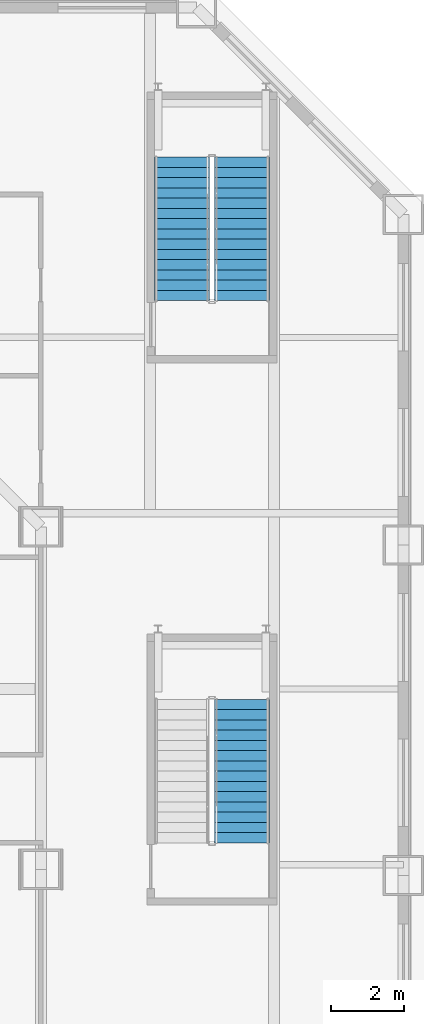
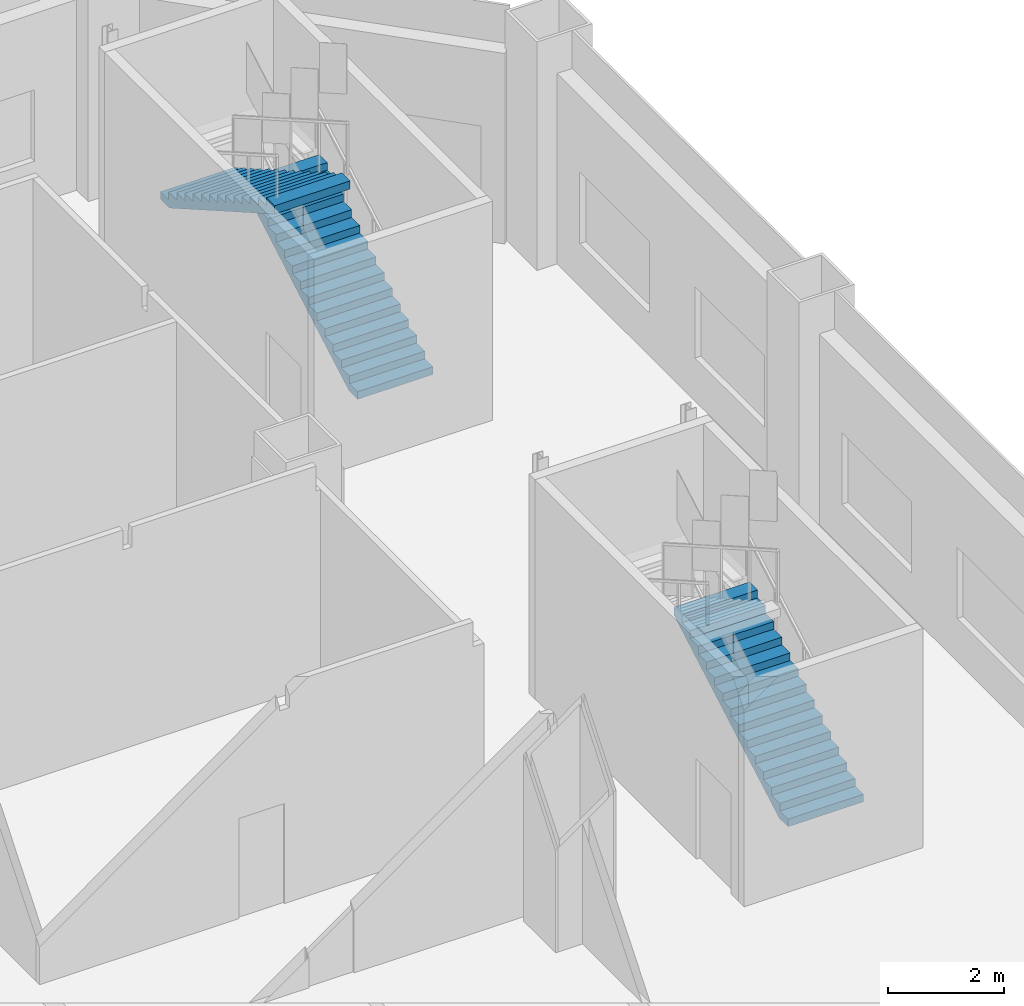
# One storey, part 20 of 26: 3 stair flights, 2 elements without a shape of their own.
"""IFC4 building model written with IfcOpenShell, lengths in metres."""

from ifc_helpers import new_model, si_unit, direction, frame, origin, place, context, subcontext, project, spatial, polyline, outline, extrude, material, type_object, element, aggregate, save


model = new_model("IFC4")

# Units and contexts
model_context = context("Model", 3, precision=1e-05, world=origin(), true_north=direction((0.0, 1.0)))
body_context = subcontext(model_context, "Body", "Model", "MODEL_VIEW")
ifc_project = project(units=[si_unit("LENGTHUNIT", "METRE"), si_unit("AREAUNIT", "SQUARE_METRE"), si_unit("VOLUMEUNIT", "CUBIC_METRE"), si_unit("PLANEANGLEUNIT", "RADIAN"), si_unit("MASSUNIT", "GRAM", prefix="KILO")], contexts=[model_context])

# Site, building, storey
site_placement = place(None, origin())
site = spatial("IfcSite", under=ifc_project, at=site_placement, CompositionType="ELEMENT")
building_placement = place(site_placement, origin())
building = spatial("IfcBuilding", under=site, at=building_placement, Name="Cairn Pilgrim Tower", CompositionType="ELEMENT")
storey_placement = place(building_placement, frame((0.0, 0.0, 25.800048828125)))
storey = spatial("IfcBuildingStorey", under=building, at=storey_placement, Name="L04", CompositionType="ELEMENT", Elevation=25.800048828125)

# Stair, stair flight
ifc_material = material(Name="Concrete C35/45", Category="concrete")
stair_type = type_object("IfcStairType", Name="PODIUM EXIT STAIR 1500", PredefinedType="HALF_TURN_STAIR", material=ifc_material)
stair_1_placement = place(storey_placement, origin())
stair_1 = element("IfcStair", 1, at=stair_1_placement, inside=storey, type_object=stair_type, Name="L04 Exit Stair Es3", PredefinedType="HALF_TURN_STAIR")
stair_flight_type = type_object("IfcStairFlightType", Name="PODIUM STAIR FLIGHT 1500", PredefinedType="STRAIGHT", material=ifc_material)
stair_flight_1_placement = place(storey_placement, frame((33.39990234375, 5.39990234375, 0.0), z_axis=(0.0, 0.0, 1.0), x_axis=(0.0, 1.0, 0.0)))
stair_flight_1 = element("IfcStairFlight", 2, at=stair_flight_1_placement, type_object=stair_flight_type, Name="ST-ES3 flight 1", NumberOfRisers=15, NumberOfTreads=14, PredefinedType="STRAIGHT", RiserHeight=0.16, TreadLength=0.28, context=body_context, shape_type="SweptSolid", body=[
    extrude(outline(polyline([(0.0, 0.0), (0.0, 0.159912109375), (0.280029296875, 0.159912109375), (0.280029296875, 0.320068359375), (0.56005859375, 0.320068359375), (0.56005859375, 0.47998046875), (0.840087890625, 0.47998046875), (0.840087890625, 0.639892578125), (1.1201171875, 0.639892578125), (1.1201171875, 0.800048828125), (1.39990234375, 0.800048828125), (1.39990234375, 0.9599609375), (1.679931640625, 0.9599609375), (1.679931640625, 1.1201171875), (1.9599609375, 1.1201171875), (1.9599609375, 1.280029296875), (2.239990234375, 1.280029296875), (2.239990234375, 1.43994140625), (2.52001953125, 1.43994140625), (2.52001953125, 1.60009765625), (2.800048828125, 1.60009765625), (2.800048828125, 1.760009765625), (3.080078125, 1.760009765625), (3.080078125, 1.919921875), (3.360107421875, 1.919921875), (3.360107421875, 2.080078125), (3.639892578125, 2.080078125), (3.639892578125, 2.239990234375), (3.919921875, 2.239990234375), (3.919921875, 2.39990234375), (3.919921875, 2.0673828125), (0.30224609375, 0.0), (0.0, 0.0)])), frame((0.0, 0.75, 0.0), z_axis=(0.0, -1.0, 0.0), x_axis=(1.0, 0.0, 0.0)), (0.0, 0.0, 1.0), 1.5),
])
aggregate(stair_1, [stair_flight_1])

# Stair, stair flights
stair_2_placement = place(storey_placement, origin())
stair_2 = element("IfcStair", 3, at=stair_2_placement, inside=storey, type_object=stair_type, Name="L04 Exit Stair Es4", PredefinedType="HALF_TURN_STAIR")
stair_flight_2_placement = place(storey_placement, frame((33.39990234375, 20.199951171875, 0.0), z_axis=(0.0, 0.0, 1.0), x_axis=(0.0, 1.0, 0.0)))
stair_flight_2 = element("IfcStairFlight", 4, at=stair_flight_2_placement, type_object=stair_flight_type, Name="ST-ES4 flight 1", NumberOfRisers=15, NumberOfTreads=14, PredefinedType="STRAIGHT", RiserHeight=0.16, TreadLength=0.28, context=body_context, shape_type="SweptSolid", body=[
    extrude(outline(polyline([(0.0, 0.0), (0.0, 0.159912109375), (0.280029296875, 0.159912109375), (0.280029296875, 0.320068359375), (0.56005859375, 0.320068359375), (0.56005859375, 0.47998046875), (0.840087890625, 0.47998046875), (0.840087890625, 0.639892578125), (1.1201171875, 0.639892578125), (1.1201171875, 0.800048828125), (1.39990234375, 0.800048828125), (1.39990234375, 0.9599609375), (1.679931640625, 0.9599609375), (1.679931640625, 1.1201171875), (1.9599609375, 1.1201171875), (1.9599609375, 1.280029296875), (2.239990234375, 1.280029296875), (2.239990234375, 1.43994140625), (2.52001953125, 1.43994140625), (2.52001953125, 1.60009765625), (2.800048828125, 1.60009765625), (2.800048828125, 1.760009765625), (3.080078125, 1.760009765625), (3.080078125, 1.919921875), (3.360107421875, 1.919921875), (3.360107421875, 2.080078125), (3.639892578125, 2.080078125), (3.639892578125, 2.239990234375), (3.919921875, 2.239990234375), (3.919921875, 2.39990234375), (3.919921875, 2.0673828125), (0.30224609375, 0.0), (0.0, 0.0)])), frame((0.0, 0.75, 0.0), z_axis=(0.0, -1.0, 0.0), x_axis=(1.0, 0.0, 0.0)), (0.0, 0.0, 1.0), 1.5),
])
stair_flight_3_placement = place(storey_placement, frame((31.75, 24.1201171875, 2.39990234375), z_axis=(0.0, 0.0, 1.0), x_axis=(0.0, -1.0, 0.0)))
stair_flight_3 = element("IfcStairFlight", 5, at=stair_flight_3_placement, type_object=stair_flight_type, Name="ST-ES4 flight 2", NumberOfRisers=15, NumberOfTreads=14, PredefinedType="STRAIGHT", RiserHeight=0.16, TreadLength=0.28, context=body_context, shape_type="SweptSolid", body=[
    extrude(outline(polyline([(0.0, 0.0), (0.0, 0.159912109375), (0.280029296875, 0.159912109375), (0.280029296875, 0.320068359375), (0.56005859375, 0.320068359375), (0.56005859375, 0.47998046875), (0.840087890625, 0.47998046875), (0.840087890625, 0.639892578125), (1.1201171875, 0.639892578125), (1.1201171875, 0.800048828125), (1.39990234375, 0.800048828125), (1.39990234375, 0.9599609375), (1.679931640625, 0.9599609375), (1.679931640625, 1.1201171875), (1.9599609375, 1.1201171875), (1.9599609375, 1.280029296875), (2.239990234375, 1.280029296875), (2.239990234375, 1.43994140625), (2.52001953125, 1.43994140625), (2.52001953125, 1.60009765625), (2.800048828125, 1.60009765625), (2.800048828125, 1.760009765625), (3.080078125, 1.760009765625), (3.080078125, 1.919921875), (3.360107421875, 1.919921875), (3.360107421875, 2.080078125), (3.639892578125, 2.080078125), (3.639892578125, 2.239990234375), (3.919921875, 2.239990234375), (3.919921875, 2.39990234375), (3.919921875, 2.0673828125), (0.30224609375, 0.0), (0.0, 0.0)])), frame((0.0, 0.75, 0.0), z_axis=(0.0, -1.0, 0.0), x_axis=(1.0, 0.0, 0.0)), (0.0, 0.0, 1.0), 1.5),
])
aggregate(stair_2, [stair_flight_2, stair_flight_3])

save(model, "model.ifc")
